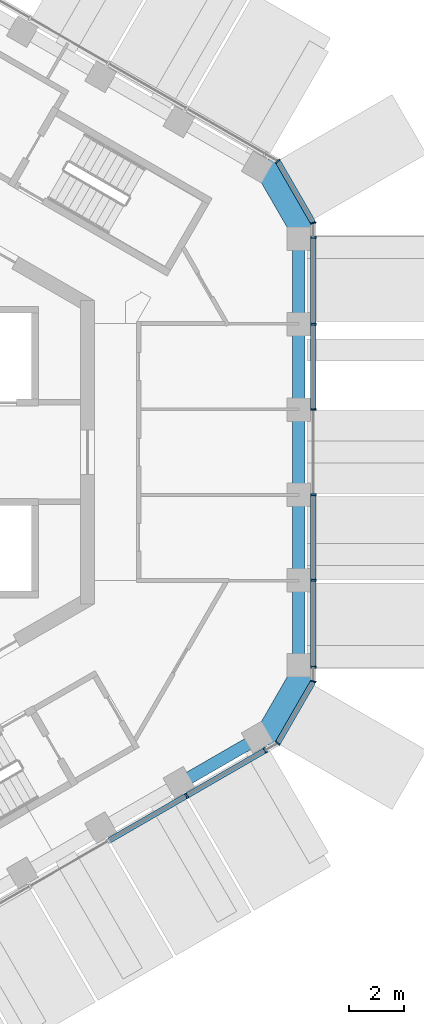
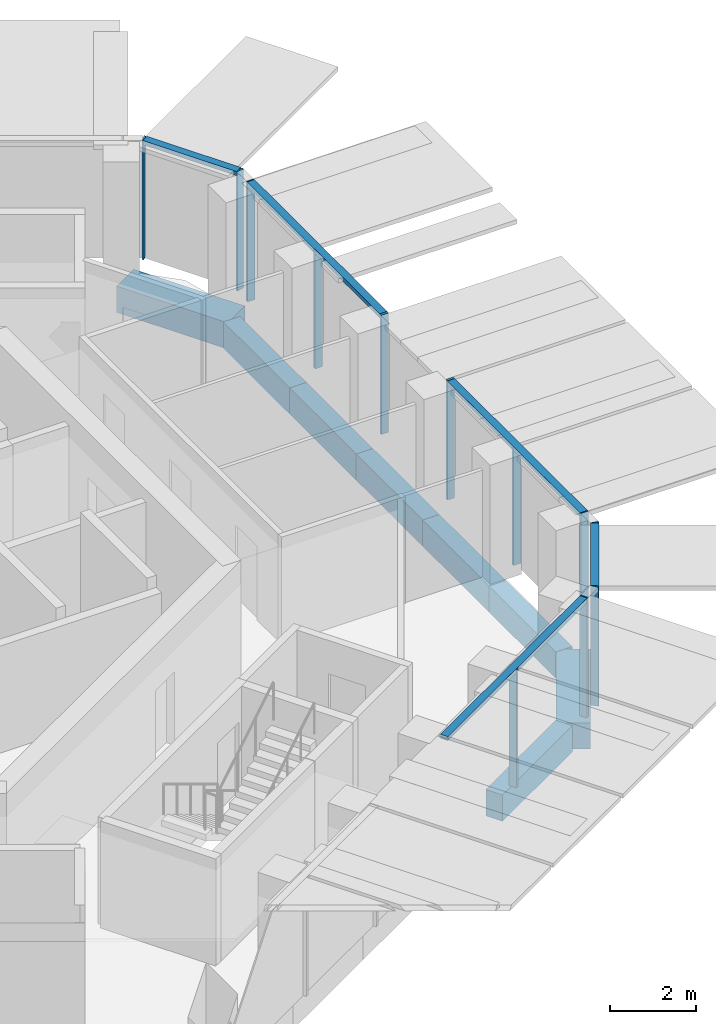
# One storey, part 4 of 17: 17 members, 8 beams, 4 elements without a shape of their own.
"""IFC4 building model written with IfcOpenShell, lengths in metres."""

from ifc_helpers import new_model, si_unit, direction, frame, origin, origin_2d, place, context, subcontext, project, spatial, rectangle, extrude, material, layer, layer_set, material_profile, profile_set, type_object, element, aggregate, save


model = new_model("IFC4")

# Units and contexts
model_context = context("Model", 3, precision=1e-05, world=origin(), true_north=direction((0.0, 1.0)))
body_context = subcontext(model_context, "Body", "Model", "MODEL_VIEW")
ifc_project = project(units=[si_unit("LENGTHUNIT", "METRE"), si_unit("AREAUNIT", "SQUARE_METRE"), si_unit("VOLUMEUNIT", "CUBIC_METRE"), si_unit("PLANEANGLEUNIT", "RADIAN"), si_unit("MASSUNIT", "GRAM", prefix="KILO")], contexts=[model_context])

# Site, building, storey
site_placement = place(None, origin())
site = spatial("IfcSite", under=ifc_project, at=site_placement, CompositionType="ELEMENT")
building_placement = place(site_placement, origin())
building = spatial("IfcBuilding", under=site, at=building_placement, Name="Ayvan Gate Tower", CompositionType="ELEMENT")
storey_placement = place(building_placement, frame((0.0, 0.0, 232.5)))
storey = spatial("IfcBuildingStorey", under=building, at=storey_placement, Name="L62", CompositionType="ELEMENT", Elevation=232.5)

# Beams
ifc_material_1 = material(Name="Concrete C40/50", Category="concrete")
ifc_material_profile_1 = material_profile(ifc_material_1, rectangle(XDim=0.800048828125, YDim=0.75, at=origin_2d()), Name="RC 800x750")
ifc_profile_set_1 = profile_set([ifc_material_profile_1], Name="Concrete C40/50")
beam_type_1 = type_object("IfcBeamType", Name="Corner spandrel beam RC 800x750 C40/50", PredefinedType="BEAM", material=ifc_profile_set_1)
for number, where, z_axis, x_axis, name in (
    (1, (17.078125, 7.868408203125, -0.72509765625), (-0.499990139034, 0.866031096941, 0.0), (-0.866031096941, -0.499990139034, 0.0), "SB-L62-6"),
    (2, (15.578125, -10.466552734375, -0.72509765625), (0.499990139034, 0.866031096941, 0.0), (-0.866031096941, 0.499990139034, 0.0), "SB-L62-36"),
):
    element("IfcBeam", number, at=place(storey_placement, frame(where, z_axis=z_axis, x_axis=x_axis)), inside=storey, type_object=beam_type_1, Name=name, PredefinedType="BEAM", context=body_context, shape_type="SweptSolid", body=[
        extrude(rectangle(XDim=0.800048828125, YDim=0.75, at=origin_2d()), origin(), (0.0, 0.0, 1.0), 3.0),
    ])
ifc_material_profile_2 = material_profile(ifc_material_1, rectangle(XDim=0.449951171875, YDim=0.75, at=origin_2d()), Name="RC 450x750")
ifc_profile_set_2 = profile_set([ifc_material_profile_2], Name="Concrete C40/50")
beam_type_2 = type_object("IfcBeamType", Name="Spandrel beam RC 450x750 C40/50", PredefinedType="BEAM", material=ifc_profile_set_2)
beam_1_placement = place(storey_placement, frame((16.887451171875, -7.758544921875, -0.72509765625), z_axis=(0.0, 1.0, 0.0), x_axis=(-1.0, 0.0, 0.0)))
element("IfcBeam", 3, at=beam_1_placement, inside=storey, type_object=beam_type_2, Name="SB-L62-1", PredefinedType="BEAM", context=body_context, shape_type="SweptSolid", body=[
    extrude(rectangle(XDim=0.449951171875, YDim=0.75, at=origin_2d()), origin(), (0.0, 0.0, 1.0), 3.103515625),
])
beam_2_placement = place(storey_placement, frame((16.887451171875, -4.655029296875, -0.72509765625), z_axis=(0.0, 1.0, 0.0), x_axis=(-1.0, 0.0, 0.0)))
element("IfcBeam", 4, at=beam_2_placement, inside=storey, type_object=beam_type_2, Name="SB-L62-2", PredefinedType="BEAM", context=body_context, shape_type="SweptSolid", body=[
    extrude(rectangle(XDim=0.449951171875, YDim=0.75, at=origin_2d()), origin(), (0.0, 0.0, 1.0), 3.103271484375),
])
beam_3_placement = place(storey_placement, frame((16.887451171875, -1.5517578125, -0.72509765625), z_axis=(0.0, 1.0, 0.0), x_axis=(-1.0, 0.0, 0.0)))
element("IfcBeam", 5, at=beam_3_placement, inside=storey, type_object=beam_type_2, Name="SB-L62-3", PredefinedType="BEAM", context=body_context, shape_type="SweptSolid", body=[
    extrude(rectangle(XDim=0.449951171875, YDim=0.75, at=origin_2d()), origin(), (0.0, 0.0, 1.0), 3.103515625),
])
beam_4_placement = place(storey_placement, frame((16.887451171875, 1.5517578125, -0.72509765625), z_axis=(0.0, 1.0, 0.0), x_axis=(-1.0, 0.0, 0.0)))
element("IfcBeam", 6, at=beam_4_placement, inside=storey, type_object=beam_type_2, Name="SB-L62-4", PredefinedType="BEAM", context=body_context, shape_type="SweptSolid", body=[
    extrude(rectangle(XDim=0.449951171875, YDim=0.75, at=origin_2d()), origin(), (0.0, 0.0, 1.0), 3.103271484375),
])
beam_5_placement = place(storey_placement, frame((16.887451171875, 4.655029296875, -0.72509765625), z_axis=(0.0, 1.0, 0.0), x_axis=(-1.0, 0.0, 0.0)))
element("IfcBeam", 7, at=beam_5_placement, inside=storey, type_object=beam_type_2, Name="SB-L62-5", PredefinedType="BEAM", context=body_context, shape_type="SweptSolid", body=[
    extrude(rectangle(XDim=0.449951171875, YDim=0.75, at=origin_2d()), origin(), (0.0, 0.0, 1.0), 3.103515625),
])
beam_6_placement = place(storey_placement, frame((12.56494140625, -11.986083984375, -0.72509765625), z_axis=(0.866017179828, 0.50001424404, 0.0), x_axis=(-0.50001424404, 0.866017179828, 0.0)))
element("IfcBeam", 8, at=beam_6_placement, inside=storey, type_object=beam_type_2, Name="SB-L62-35", PredefinedType="BEAM", context=body_context, shape_type="SweptSolid", body=[
    extrude(rectangle(XDim=0.449951171875, YDim=0.75, at=origin_2d()), origin(), (0.0, 0.0, 1.0), 3.25927734375),
])

# Curtain wall, members
ifc_material_2 = material(Name="Bronze anodised aluminium", Category="aluminium")
ifc_layer_1 = layer(ifc_material_2, 0.199951171875)
ifc_layer_set_1 = layer_set([ifc_layer_1], Name="Bronze anodised aluminium")
curtain_wall_type_1 = type_object("IfcCurtainWallType", Name="Stick curtain wall CW-2", PredefinedType="NOTDEFINED", material=ifc_layer_set_1)
curtain_wall_1_placement = place(storey_placement, origin())
curtain_wall_1 = element("IfcCurtainWall", 9, at=curtain_wall_1_placement, inside=storey, type_object=curtain_wall_type_1, Name="Stick curtain wall CW-2 L62", PredefinedType="NOTDEFINED")
ifc_material_profile_3 = material_profile(ifc_material_2, rectangle(XDim=0.199951171875, YDim=0.070068359375, at=origin_2d()), Name="Stick curtain wall CW-2 mullion 200 x 70")
ifc_profile_set_3 = profile_set([ifc_material_profile_3], Name="Bronze anodised aluminium")
member_type_1 = type_object("IfcMemberType", Name="Stick curtain wall CW-2 mullion 200 x 70", PredefinedType="MULLION", material=ifc_profile_set_3)
member_1_placement = place(storey_placement, frame((12.83349609375, -12.422607421875, 0.0), z_axis=(0.0, 0.0, 1.0), x_axis=(0.5, -0.866025403784, 0.0)))
member_1 = element("IfcMember", 10, at=member_1_placement, type_object=member_type_1, Name="CW-2 mullion 5", PredefinedType="MULLION", context=body_context, shape_type="SweptSolid", body=[
    extrude(rectangle(XDim=0.199951171875, YDim=0.070068359375, at=origin_2d()), origin(), (0.0, 0.0, 1.0), 3.39990234375),
])
member_2_placement = place(storey_placement, frame((15.679443359375, -10.779541015625, 0.0), z_axis=(0.0, 0.0, 1.0), x_axis=(0.5, -0.866025403784, 0.0)))
member_2 = element("IfcMember", 11, at=member_2_placement, type_object=member_type_1, Name="CW-2 mullion 6", PredefinedType="MULLION", context=body_context, shape_type="SweptSolid", body=[
    extrude(rectangle(XDim=0.199951171875, YDim=0.070068359375, at=origin_2d()), origin(), (0.0, 0.0, 1.0), 3.39990234375),
])

curtain_wall_2_placement = place(storey_placement, origin())
curtain_wall_2 = element("IfcCurtainWall", 12, at=curtain_wall_2_placement, inside=storey, type_object=curtain_wall_type_1, Name="Stick curtain wall CW-2 L62", PredefinedType="NOTDEFINED")
member_3_placement = place(storey_placement, frame((17.41259765625, -7.77783203125, 0.0), z_axis=(0.0, 0.0, 1.0), x_axis=(1.0, 0.0, 0.0)))
member_3 = element("IfcMember", 13, at=member_3_placement, type_object=member_type_1, Name="CW-2 mullion 1", PredefinedType="MULLION", context=body_context, shape_type="SweptSolid", body=[
    extrude(rectangle(XDim=0.199951171875, YDim=0.070068359375, at=origin_2d()), origin(), (0.0, 0.0, 1.0), 3.39990234375),
])
member_4_placement = place(storey_placement, frame((17.41259765625, -4.6259765625, 0.0), z_axis=(0.0, 0.0, 1.0), x_axis=(1.0, 0.0, 0.0)))
member_4 = element("IfcMember", 14, at=member_4_placement, type_object=member_type_1, Name="CW-2 mullion 2", PredefinedType="MULLION", context=body_context, shape_type="SweptSolid", body=[
    extrude(rectangle(XDim=0.199951171875, YDim=0.070068359375, at=origin_2d()), origin(), (0.0, 0.0, 1.0), 3.39990234375),
])
member_5_placement = place(storey_placement, frame((17.41259765625, -1.5419921875, 0.0), z_axis=(0.0, 0.0, 1.0), x_axis=(1.0, 0.0, 0.0)))
member_5 = element("IfcMember", 15, at=member_5_placement, type_object=member_type_1, Name="CW-2 mullion 3", PredefinedType="MULLION", context=body_context, shape_type="SweptSolid", body=[
    extrude(rectangle(XDim=0.199951171875, YDim=0.070068359375, at=origin_2d()), origin(), (0.0, 0.0, 1.0), 3.39990234375),
])
member_6_placement = place(storey_placement, frame((17.41259765625, 1.5419921875, 0.0), z_axis=(0.0, 0.0, 1.0), x_axis=(1.0, 0.0, 0.0)))
member_6 = element("IfcMember", 16, at=member_6_placement, type_object=member_type_1, Name="CW-2 mullion 4", PredefinedType="MULLION", context=body_context, shape_type="SweptSolid", body=[
    extrude(rectangle(XDim=0.199951171875, YDim=0.070068359375, at=origin_2d()), origin(), (0.0, 0.0, 1.0), 3.39990234375),
])
member_7_placement = place(storey_placement, frame((17.41259765625, 4.6259765625, 0.0), z_axis=(0.0, 0.0, 1.0), x_axis=(1.0, 0.0, 0.0)))
member_7 = element("IfcMember", 17, at=member_7_placement, type_object=member_type_1, Name="CW-2 mullion 5", PredefinedType="MULLION", context=body_context, shape_type="SweptSolid", body=[
    extrude(rectangle(XDim=0.199951171875, YDim=0.070068359375, at=origin_2d()), origin(), (0.0, 0.0, 1.0), 3.39990234375),
])
member_8_placement = place(storey_placement, frame((17.41259765625, 7.77783203125, 0.0), z_axis=(0.0, 0.0, 1.0), x_axis=(1.0, 0.0, 0.0)))
member_8 = element("IfcMember", 18, at=member_8_placement, type_object=member_type_1, Name="CW-2 mullion 6", PredefinedType="MULLION", context=body_context, shape_type="SweptSolid", body=[
    extrude(rectangle(XDim=0.199951171875, YDim=0.070068359375, at=origin_2d()), origin(), (0.0, 0.0, 1.0), 3.39990234375),
])

# Member
ifc_material_profile_4 = material_profile(ifc_material_2, rectangle(XDim=0.199951171875, YDim=0.1201171875, at=origin_2d()), Name="Stick curtain wall CW-2 transom 200 x 120")
ifc_profile_set_4 = profile_set([ifc_material_profile_4], Name="Bronze anodised aluminium")
member_type_2 = type_object("IfcMemberType", Name="Stick curtain wall CW-2 transom 200 x 120", PredefinedType="USERDEFINED", material=ifc_profile_set_4)
member_9_placement = place(storey_placement, frame((10.03369140625, -14.0390625, 3.340087890625), z_axis=(0.86602905202, 0.499993681017, 0.0), x_axis=(-0.499993681017, 0.86602905202, 0.0)))
member_9 = element("IfcMember", 19, at=member_9_placement, type_object=member_type_2, Name="CW-2 transom 2", ObjectType="TRANSOM", PredefinedType="USERDEFINED", context=body_context, shape_type="SweptSolid", body=[
    extrude(rectangle(XDim=0.199951171875, YDim=0.1201171875, at=origin_2d()), origin(), (0.0, 0.0, 1.0), 6.51904296875),
])

aggregate(curtain_wall_1, [member_1, member_2, member_9])

member_10_placement = place(storey_placement, frame((17.41259765625, -7.77783203125, 3.340087890625), z_axis=(0.0, 1.0, 0.0), x_axis=(-1.0, 0.0, 0.0)))
member_10 = element("IfcMember", 20, at=member_10_placement, type_object=member_type_2, Name="CW-2 transom 1", ObjectType="TRANSOM", PredefinedType="USERDEFINED", context=body_context, shape_type="SweptSolid", body=[
    extrude(rectangle(XDim=0.199951171875, YDim=0.1201171875, at=origin_2d()), origin(), (0.0, 0.0, 1.0), 6.200927734375),
])

member_11_placement = place(storey_placement, frame((17.41259765625, 1.5771484375, 3.340087890625), z_axis=(0.0, 1.0, 0.0), x_axis=(-1.0, 0.0, 0.0)))
member_11 = element("IfcMember", 21, at=member_11_placement, type_object=member_type_2, Name="CW-2 transom 2", ObjectType="TRANSOM", PredefinedType="USERDEFINED", context=body_context, shape_type="SweptSolid", body=[
    extrude(rectangle(XDim=0.199951171875, YDim=0.1201171875, at=origin_2d()), origin(), (0.0, 0.0, 1.0), 6.20068359375),
])

aggregate(curtain_wall_2, [member_3, member_4, member_5, member_6, member_7, member_8, member_10, member_11])

# Curtain wall, members
ifc_layer_2 = layer(ifc_material_2, 0.199951171875)
ifc_layer_set_2 = layer_set([ifc_layer_2], Name="Bronze anodised aluminium")
curtain_wall_type_2 = type_object("IfcCurtainWallType", Name="Stick curtain wall CW-6", PredefinedType="NOTDEFINED", material=ifc_layer_set_2)
curtain_wall_3_placement = place(storey_placement, origin())
curtain_wall_3 = element("IfcCurtainWall", 22, at=curtain_wall_3_placement, inside=storey, type_object=curtain_wall_type_2, Name="Stick curtain wall CW-6 L62", PredefinedType="NOTDEFINED")
ifc_material_profile_5 = material_profile(ifc_material_2, rectangle(XDim=0.199951171875, YDim=0.050048828125, at=origin_2d()), Name="Stick curtain wall CW-6 mullion 200 x 50")
ifc_profile_set_5 = profile_set([ifc_material_profile_5], Name="Bronze anodised aluminium")
member_type_3 = type_object("IfcMemberType", Name="Stick curtain wall CW-6 mullion 200 x 50", PredefinedType="MULLION", material=ifc_profile_set_5)
member_12_placement = place(storey_placement, frame((16.12109375, -10.5244140625, 0.0), z_axis=(0.0, 0.0, 1.0), x_axis=(0.707106781187, -0.707106781187, 0.0)))
member_12 = element("IfcMember", 23, at=member_12_placement, type_object=member_type_3, Name="CW-6 mullion 2", PredefinedType="MULLION", context=body_context, shape_type="SweptSolid", body=[
    extrude(rectangle(XDim=0.199951171875, YDim=0.050048828125, at=origin_2d()), origin(), (0.0, 0.0, 1.0), 3.39990234375),
])
member_13_placement = place(storey_placement, frame((17.41259765625, -8.287841796875, 0.0), z_axis=(0.0, 0.0, 1.0), x_axis=(0.965925826289, -0.258819045103, 0.0)))
member_13 = element("IfcMember", 24, at=member_13_placement, type_object=member_type_3, Name="CW-6 mullion 3", PredefinedType="MULLION", context=body_context, shape_type="SweptSolid", body=[
    extrude(rectangle(XDim=0.199951171875, YDim=0.050048828125, at=origin_2d()), origin(), (0.0, 0.0, 1.0), 3.39990234375),
])

curtain_wall_4_placement = place(storey_placement, origin())
curtain_wall_4 = element("IfcCurtainWall", 25, at=curtain_wall_4_placement, inside=storey, type_object=curtain_wall_type_2, Name="Stick curtain wall CW-6 L62", PredefinedType="NOTDEFINED")
member_14_placement = place(storey_placement, frame((17.41259765625, 8.287841796875, 0.0), z_axis=(0.0, 0.0, 1.0), x_axis=(0.965925826289, 0.258819045103, 0.0)))
member_14 = element("IfcMember", 26, at=member_14_placement, type_object=member_type_3, Name="CW-6 mullion 2", PredefinedType="MULLION", context=body_context, shape_type="SweptSolid", body=[
    extrude(rectangle(XDim=0.199951171875, YDim=0.050048828125, at=origin_2d()), origin(), (0.0, 0.0, 1.0), 3.39990234375),
])
member_15_placement = place(storey_placement, frame((16.12109375, 10.5244140625, 0.0), z_axis=(0.0, 0.0, 1.0), x_axis=(0.707106781187, 0.707106781187, 0.0)))
member_15 = element("IfcMember", 27, at=member_15_placement, type_object=member_type_3, Name="CW-6 mullion 3", PredefinedType="MULLION", context=body_context, shape_type="SweptSolid", body=[
    extrude(rectangle(XDim=0.199951171875, YDim=0.050048828125, at=origin_2d()), origin(), (0.0, 0.0, 1.0), 3.39990234375),
])

# Member
ifc_material_profile_6 = material_profile(ifc_material_2, rectangle(XDim=0.199951171875, YDim=0.1201171875, at=origin_2d()), Name="Stick curtain wall CW-6 transom 200 x 120")
ifc_profile_set_6 = profile_set([ifc_material_profile_6], Name="Bronze anodised aluminium")
member_type_4 = type_object("IfcMemberType", Name="Stick curtain wall CW-6 transom 200 x 120", PredefinedType="USERDEFINED", material=ifc_profile_set_6)
member_16_placement = place(storey_placement, frame((16.1337890625, -10.5029296875, 3.340087890625), z_axis=(0.499933856714, 0.866063588261, 0.0), x_axis=(-0.866063588261, 0.499933856714, 0.0)))
member_16 = element("IfcMember", 28, at=member_16_placement, type_object=member_type_4, Name="CW-6 transom 2", ObjectType="TRANSOM", PredefinedType="USERDEFINED", context=body_context, shape_type="SweptSolid", body=[
    extrude(rectangle(XDim=0.199951171875, YDim=0.1201171875, at=origin_2d()), origin(), (0.0, 0.0, 1.0), 2.532470703125),
])

aggregate(curtain_wall_3, [member_12, member_13, member_16])

member_17_placement = place(storey_placement, frame((17.39990234375, 8.3095703125, 3.340087890625), z_axis=(-0.499933856714, 0.866063588261, 0.0), x_axis=(-0.866063588261, -0.499933856714, 0.0)))
member_17 = element("IfcMember", 29, at=member_17_placement, type_object=member_type_4, Name="CW-6 transom 2", ObjectType="TRANSOM", PredefinedType="USERDEFINED", context=body_context, shape_type="SweptSolid", body=[
    extrude(rectangle(XDim=0.199951171875, YDim=0.1201171875, at=origin_2d()), origin(), (0.0, 0.0, 1.0), 2.532470703125),
])

aggregate(curtain_wall_4, [member_14, member_15, member_17])

save(model, "model.ifc")
